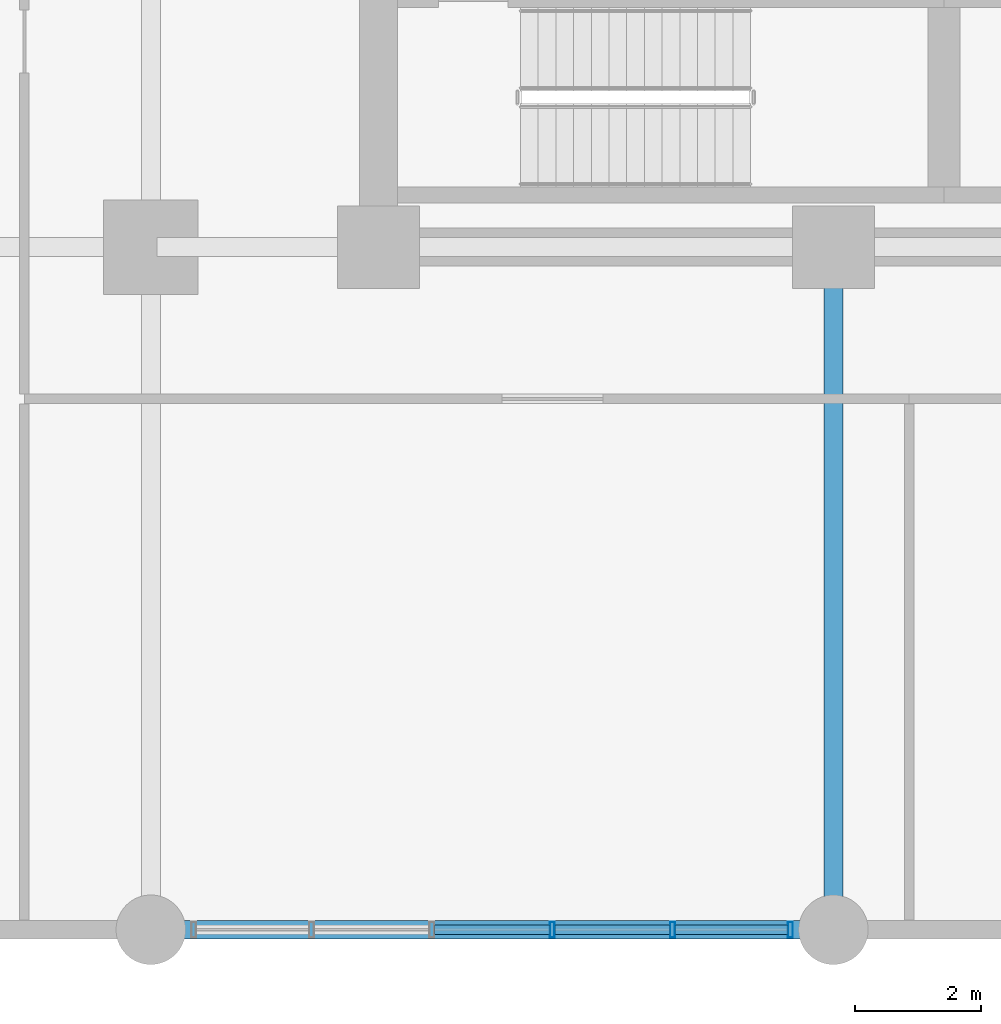
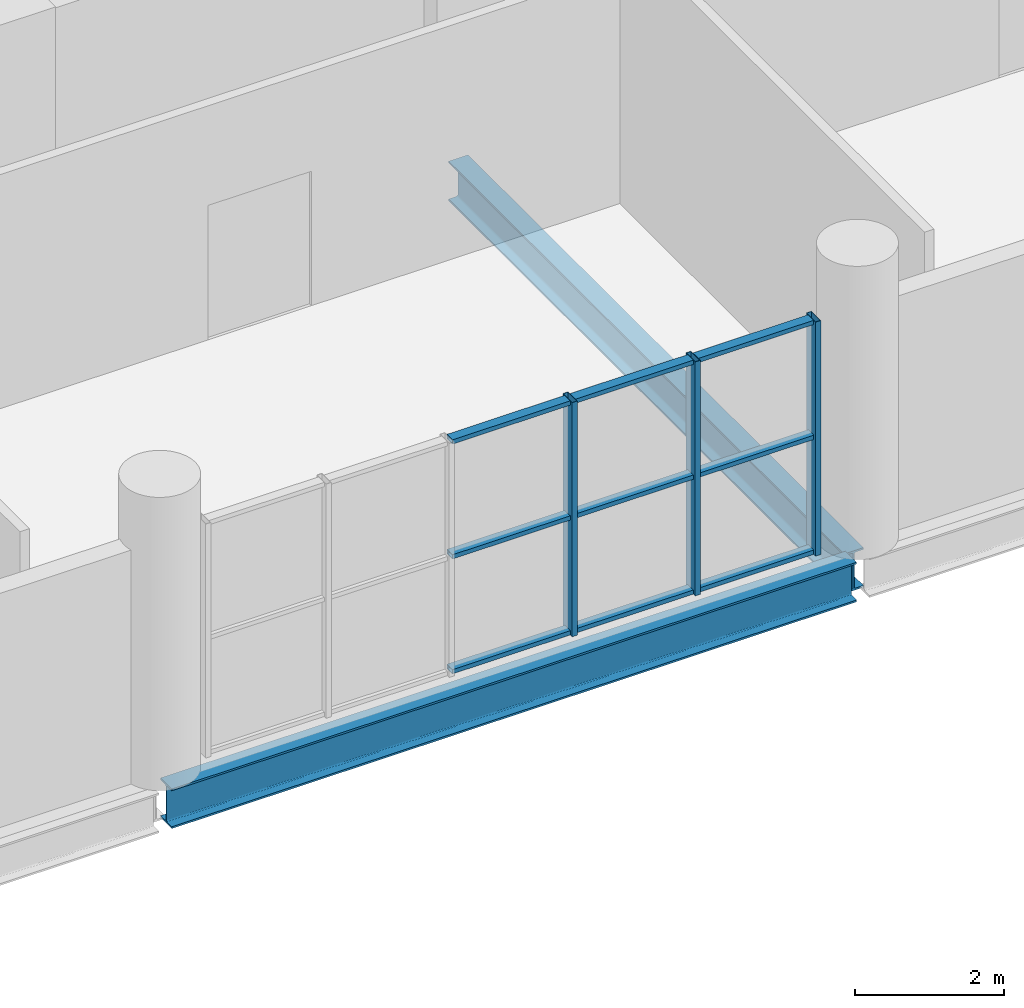
# One storey, part 3 of 16: 12 members, 2 beams, 1 element without a shape of its own.
"""IFC4 building model written with IfcOpenShell, lengths in metres."""

import ifcopenshell
import ifcopenshell.guid

model = None  # the IFC model being written
_history = None  # IfcOwnerHistory: only IFC2X3 demands one
_inside = {}  # id of a spatial element -> (the spatial element, [elements in it])
_under = {}  # id of a project, library or spatial element -> (it, [spatial elements below it])
_declared = {}  # id of a project -> (the project, [libraries it declares])
_typed = {}  # id of a type object -> (the type object, [elements of that type])
_made_of = {}  # id of a material, layer set ... -> (it, [elements and type objects made of it])


def new_model(schema):
    """Start an empty IFC model of exactly this schema.

    Asked for "IFC4X3", IfcOpenShell would pick the latest addendum, in which some entities
    have other attributes; the version numbers below select the first issue.
    IFC2X3 requires an IfcOwnerHistory on every rooted entity: one is made here for all.
    """
    global model, _history
    if schema == "IFC4X3":
        model = ifcopenshell.file(schema_version=(4, 3, 0, 0))
    else:
        model = ifcopenshell.file(schema=schema)
    _inside.clear()
    _under.clear()
    _declared.clear()
    _typed.clear()
    _made_of.clear()
    _history = None
    if model.schema == "IFC2X3":
        org = make("IfcOrganization", Name="unknown")
        user = make(
            "IfcPersonAndOrganization",
            ThePerson=make("IfcPerson", FamilyName="unknown"),
            TheOrganization=org,
        )
        app = make(
            "IfcApplication",
            ApplicationDeveloper=org,
            Version="unknown",
            ApplicationFullName="unknown",
            ApplicationIdentifier="unknown",
        )
        _history = make(
            "IfcOwnerHistory",
            OwningUser=user,
            OwningApplication=app,
            ChangeAction="ADDED",
            CreationDate=0,
        )
    return model


def make(cls, **values):
    """One entity of the class cls with the attributes given. An attribute that is None is left unset."""
    return model.create_entity(
        cls, **{name: value for name, value in values.items() if value is not None}
    )


def rooted(cls, **values):
    """An entity with a GlobalId (a new one), such as an element, a storey or a relation."""
    return make(cls, GlobalId=ifcopenshell.guid.new(), OwnerHistory=_history, **values)


def si_unit(unit_type, name, prefix=None):
    """IfcSIUnit, for example si_unit("LENGTHUNIT", "METRE", prefix="MILLI")."""
    return make("IfcSIUnit", UnitType=unit_type, Prefix=prefix, Name=name)


def assignment(units):
    """IfcUnitAssignment: the units of a project."""
    return None if units is None else make("IfcUnitAssignment", Units=units)


def point(xyz):
    """IfcCartesianPoint."""
    return None if xyz is None else make("IfcCartesianPoint", Coordinates=xyz)


def direction(xyz):
    """IfcDirection."""
    return None if xyz is None else make("IfcDirection", DirectionRatios=xyz)


def frame(location, z_axis=None, x_axis=None):
    """IfcAxis2Placement3D, a coordinate frame: its origin and axes. An axis left out is left unset."""
    return make(
        "IfcAxis2Placement3D",
        Location=point(location),
        Axis=direction(z_axis),
        RefDirection=direction(x_axis),
    )


def frame_2d(location, x_axis=None):
    """IfcAxis2Placement2D, a coordinate frame in the plane: its origin and x axis."""
    return make(
        "IfcAxis2Placement2D", Location=point(location), RefDirection=direction(x_axis)
    )


def origin():
    """The frame at (0, 0, 0) with its axes left unset."""
    return frame((0.0, 0.0, 0.0))


def origin_2d():
    """The frame at (0, 0) in the plane with its x axis left unset."""
    return frame_2d((0.0, 0.0))


def place(relative_to, where):
    """IfcLocalPlacement: puts the frame where relative to a parent placement (None: the world)."""
    return make(
        "IfcLocalPlacement", PlacementRelTo=relative_to, RelativePlacement=where
    )


def context(
    kind, dimensions, precision=None, world=None, true_north=None, identifier=None
):
    """IfcGeometricRepresentationContext, for example the 3D "Model" context."""
    return make(
        "IfcGeometricRepresentationContext",
        ContextIdentifier=identifier,
        ContextType=kind,
        CoordinateSpaceDimension=dimensions,
        Precision=precision,
        WorldCoordinateSystem=world,
        TrueNorth=true_north,
    )


def subcontext(parent, identifier, kind, view, scale=None):
    """IfcGeometricRepresentationSubContext, for example "Body" below "Model"."""
    return make(
        "IfcGeometricRepresentationSubContext",
        ContextIdentifier=identifier,
        ContextType=kind,
        ParentContext=parent,
        TargetScale=scale,
        TargetView=view,
    )


def project(units=None, contexts=None):
    """IfcProject with its units and contexts."""
    return rooted(
        "IfcProject",
        Name="project",
        RepresentationContexts=contexts,
        UnitsInContext=assignment(units),
    )


def spatial(cls, under=None, at=None, **own):
    """A site, building, storey or space (cls), placed at a placement, below another one or the project."""
    s = rooted(cls, ObjectPlacement=at, **own)
    if under is not None:
        _under.setdefault(under.id(), (under, []))[1].append(s)
    return s


def profile(cls, at=None, kind="AREA", **sizes):
    """A parametric profile (cls). Its sizes go by their IFC names, for example OverallWidth=200.0."""
    return make(cls, ProfileType=kind, Position=at, **sizes)


def hollow_rectangle(**sizes):
    """IfcRectangleHollowProfileDef."""
    return profile("IfcRectangleHollowProfileDef", **sizes)


def i_section(**sizes):
    """IfcIShapeProfileDef."""
    return profile("IfcIShapeProfileDef", **sizes)


def extrude(swept, where, along, depth):
    """IfcExtrudedAreaSolid: the profile swept, set in the frame where, extruded along a direction by depth."""
    return make(
        "IfcExtrudedAreaSolid",
        SweptArea=swept,
        Position=where,
        ExtrudedDirection=direction(along),
        Depth=depth,
    )


def shape(context_of_items, identifier, shape_type, items):
    """IfcShapeRepresentation: the items that make up one representation, for example the "Body"."""
    return make(
        "IfcShapeRepresentation",
        ContextOfItems=context_of_items,
        RepresentationIdentifier=identifier,
        RepresentationType=shape_type,
        Items=items,
    )


def material(Name=None, Category=None):
    """IfcMaterial."""
    return make("IfcMaterial", Name=Name, Category=Category)


def layer(
    of_material, thickness, ventilated=None, Name=None, Category=None, Priority=None
):
    """IfcMaterialLayer: one layer of a wall or slab, of a material (None: an air gap)."""
    return make(
        "IfcMaterialLayer",
        Material=of_material,
        LayerThickness=thickness,
        IsVentilated=ventilated,
        Name=Name,
        Category=Category,
        Priority=Priority,
    )


def layer_set(layers, Name=None):
    """IfcMaterialLayerSet."""
    return make("IfcMaterialLayerSet", MaterialLayers=layers, LayerSetName=Name)


def material_profile(
    of_material, cross_section, Name=None, Category=None, Priority=None
):
    """IfcMaterialProfile: a cross section and its material."""
    return make(
        "IfcMaterialProfile",
        Name=Name,
        Material=of_material,
        Profile=cross_section,
        Priority=Priority,
        Category=Category,
    )


def profile_set(profiles, Name=None, composite=None):
    """IfcMaterialProfileSet."""
    return make(
        "IfcMaterialProfileSet",
        Name=Name,
        MaterialProfiles=profiles,
        CompositeProfile=composite,
    )


def made_of(thing, what):
    """Note that an element or type object is made of a material, layer set ...; save() writes the relation."""
    if what is not None:
        _made_of.setdefault(what.id(), (what, []))[1].append(thing)
    return thing


def type_object(cls, material=None, **own):
    """A type object (cls), such as IfcWallType, which elements share."""
    return made_of(rooted(cls, **own), material)


def element(
    cls,
    number,
    at=None,
    inside=None,
    cuts=None,
    type_object=None,
    material=None,
    context=None,
    identifier="Body",
    shape_type=None,
    held_by="IfcProductDefinitionShape",
    body=None,
    shapes=None,
    **own,
):
    """One element of the class cls, such as IfcWall. Its Tag is "e" and its number.

    at: its placement. inside: the storey or other place that contains it. cuts: it is an
    opening in that element (IfcRelVoidsElement). A single representation is given by context,
    identifier, shape_type and body (its items); several are given by shapes. held_by: the class
    of the entity that holds the representations. save() writes the other relations.
    """
    e = rooted(cls, Tag="e%d" % number, ObjectPlacement=at, **own)
    if body is not None:
        shapes = [shape(context, identifier, shape_type, body)]
    if shapes is not None:
        e.Representation = make(held_by, Representations=shapes)
    if inside is not None:
        _inside.setdefault(inside.id(), (inside, []))[1].append(e)
    if cuts is not None:
        rooted(
            "IfcRelVoidsElement", RelatingBuildingElement=cuts, RelatedOpeningElement=e
        )
    if type_object is not None:
        _typed.setdefault(type_object.id(), (type_object, []))[1].append(e)
    return made_of(e, material)


def aggregate(whole, parts):
    """IfcRelAggregates: a whole, such as a stair, and the parts it consists of."""
    return rooted("IfcRelAggregates", RelatingObject=whole, RelatedObjects=parts)


def save(model, path):
    """Write the relations noted so far, then the file.

    IfcRelAggregates (storeys below a building ...), IfcRelContainedInSpatialStructure (elements
    in a storey), IfcRelDefinesByType, IfcRelAssociatesMaterial and IfcRelDeclares: one each for
    every whole, place, type object, material and project.
    """
    for whole, parts in _under.values():
        aggregate(whole, parts)
    for where, things in _inside.values():
        rooted(
            "IfcRelContainedInSpatialStructure",
            RelatedElements=things,
            RelatingStructure=where,
        )
    for kind, things in _typed.values():
        rooted("IfcRelDefinesByType", RelatedObjects=things, RelatingType=kind)
    for what, things in _made_of.values():
        rooted("IfcRelAssociatesMaterial", RelatedObjects=things, RelatingMaterial=what)
    for by, libraries in _declared.values():
        rooted("IfcRelDeclares", RelatingContext=by, RelatedDefinitions=libraries)
    model.write(path)


model = new_model("IFC4")

# Units and contexts
model_context = context("Model", 3, precision=1e-05, world=origin(), true_north=direction((0.0, 1.0)))
body_context = subcontext(model_context, "Body", "Model", "MODEL_VIEW")
ifc_project = project(units=[si_unit("LENGTHUNIT", "METRE"), si_unit("AREAUNIT", "SQUARE_METRE"), si_unit("VOLUMEUNIT", "CUBIC_METRE"), si_unit("PLANEANGLEUNIT", "RADIAN"), si_unit("MASSUNIT", "GRAM", prefix="KILO")], contexts=[model_context])

# Site, building, storey
site_placement = place(None, origin())
site = spatial("IfcSite", under=ifc_project, at=site_placement, CompositionType="ELEMENT")
building_placement = place(site_placement, origin())
building = spatial("IfcBuilding", under=site, at=building_placement, Name="Solnavia Interchange Tower", CompositionType="ELEMENT")
storey_placement = place(building_placement, frame((0.0, 0.0, 5.39990234375)))
storey = spatial("IfcBuildingStorey", under=building, at=storey_placement, Name="L01", CompositionType="ELEMENT", Elevation=5.39990234375)

# Beams
ifc_material_1 = material(Name="Steel S460", Category="steel")
ifc_material_profile_1 = material_profile(ifc_material_1, i_section(OverallWidth=0.300048828125, OverallDepth=0.64990234375, WebThickness=0.01611328125, FlangeThickness=0.031005859375, FilletRadius=0.027099609375, at=origin_2d()), Name="HEB 650")
ifc_profile_set_1 = profile_set([ifc_material_profile_1], Name="Steel S460")
beam_type = type_object("IfcBeamType", Name="Beam-Girder-HEB650", PredefinedType="BEAM", material=ifc_profile_set_1)
beam_1_placement = place(storey_placement, frame((10.89990234375, 0.0, -0.625), z_axis=(1.0, 0.0, 0.0), x_axis=(0.0, 1.0, 0.0)))
element("IfcBeam", 1, at=beam_1_placement, inside=storey, type_object=beam_type, Name="GRD-L01-02 Podium primary girder", PredefinedType="BEAM", context=body_context, shape_type="SweptSolid", body=[
    extrude(i_section(OverallWidth=0.300048828125, OverallDepth=0.64990234375, WebThickness=0.01611328125, FlangeThickness=0.031005859375, FilletRadius=0.027099609375, at=origin_2d()), origin(), (0.0, 0.0, 1.0), 10.60009765625),
])
beam_2_placement = place(storey_placement, frame((21.60009765625, 0.10009765625, -0.625), z_axis=(0.0, 1.0, 0.0), x_axis=(-1.0, 0.0, 0.0)))
element("IfcBeam", 2, at=beam_2_placement, inside=storey, type_object=beam_type, Name="GRD-L01-54 Podium primary girder", PredefinedType="BEAM", context=body_context, shape_type="SweptSolid", body=[
    extrude(i_section(OverallWidth=0.300048828125, OverallDepth=0.64990234375, WebThickness=0.01611328125, FlangeThickness=0.031005859375, FilletRadius=0.027099609375, at=origin_2d()), origin(), (0.0, 0.0, 1.0), 10.599853515625),
])

# Curtain wall, members
ifc_material_2 = material(Name="Aluminium Alloy 6063-T6", Category="aluminium")
ifc_layer = layer(ifc_material_2, 0.27001953125)
ifc_layer_set = layer_set([ifc_layer], Name="Aluminium Alloy 6063-T6")
curtain_wall_type = type_object("IfcCurtainWallType", Name="CurtainWall-Podium-CTW1", PredefinedType="NOTDEFINED", material=ifc_layer_set)
curtain_wall_placement = place(storey_placement, origin())
curtain_wall = element("IfcCurtainWall", 3, at=curtain_wall_placement, inside=storey, type_object=curtain_wall_type, Name="CTW-L01-S02 CTW-1 curtain wall", PredefinedType="NOTDEFINED")
ifc_material_profile_2 = material_profile(ifc_material_2, hollow_rectangle(XDim=0.080078125, YDim=0.25, WallThickness=0.006103515625, at=origin_2d()), Name="ALU 250x80x6")
ifc_profile_set_2 = profile_set([ifc_material_profile_2], Name="Aluminium Alloy 6063-T6")
member_type_1 = type_object("IfcMemberType", Name="CW-Mullion-CWM-1", PredefinedType="MULLION", material=ifc_profile_set_2)
member_1_placement = place(storey_placement, frame((20.919921875, 0.0, 0.0), z_axis=(0.0, 0.0, 1.0), x_axis=(-1.0, 0.0, 0.0)))
member_1 = element("IfcMember", 4, at=member_1_placement, type_object=member_type_1, Name="CTW-1 mullion 1", PredefinedType="MULLION", context=body_context, shape_type="SweptSolid", body=[
    extrude(hollow_rectangle(XDim=0.080078125, YDim=0.25, WallThickness=0.006103515625, at=origin_2d()), origin(), (0.0, 0.0, 1.0), 3.830078125),
])
member_2_placement = place(storey_placement, frame((19.055908203125, 0.0, 0.0), z_axis=(0.0, 0.0, 1.0), x_axis=(-1.0, 0.0, 0.0)))
member_2 = element("IfcMember", 5, at=member_2_placement, type_object=member_type_1, Name="CTW-1 mullion 2", PredefinedType="MULLION", context=body_context, shape_type="SweptSolid", body=[
    extrude(hollow_rectangle(XDim=0.080078125, YDim=0.25, WallThickness=0.006103515625, at=origin_2d()), origin(), (0.0, 0.0, 1.0), 3.830078125),
])
member_3_placement = place(storey_placement, frame((17.152099609375, 0.0, 0.0), z_axis=(0.0, 0.0, 1.0), x_axis=(-1.0, 0.0, 0.0)))
member_3 = element("IfcMember", 6, at=member_3_placement, type_object=member_type_1, Name="CTW-1 mullion 3", PredefinedType="MULLION", context=body_context, shape_type="SweptSolid", body=[
    extrude(hollow_rectangle(XDim=0.080078125, YDim=0.25, WallThickness=0.006103515625, at=origin_2d()), origin(), (0.0, 0.0, 1.0), 3.830078125),
])
ifc_material_profile_3 = material_profile(ifc_material_2, hollow_rectangle(XDim=0.070068359375, YDim=0.14990234375, WallThickness=0.00439453125, at=origin_2d()), Name="ALU 150x70x4.5")
ifc_profile_set_3 = profile_set([ifc_material_profile_3], Name="Aluminium Alloy 6063-T6")
member_type_2 = type_object("IfcMemberType", Name="CW-Transom-CWT-1", PredefinedType="USERDEFINED", material=ifc_profile_set_3)
member_4_placement = place(storey_placement, frame((20.8798828125, 0.0, 0.03515625), z_axis=(-1.0, 0.0, 0.0), x_axis=(0.0, 0.0, 1.0)))
member_4 = element("IfcMember", 7, at=member_4_placement, type_object=member_type_2, Name="CTW-1 transom 1.1", ObjectType="TRANSOM", PredefinedType="USERDEFINED", context=body_context, shape_type="SweptSolid", body=[
    extrude(hollow_rectangle(XDim=0.070068359375, YDim=0.14990234375, WallThickness=0.00439453125, at=origin_2d()), origin(), (0.0, 0.0, 1.0), 1.783935546875),
])
member_5_placement = place(storey_placement, frame((20.8798828125, 0.0, 1.9150390625), z_axis=(-1.0, 0.0, 0.0), x_axis=(0.0, 0.0, 1.0)))
member_5 = element("IfcMember", 8, at=member_5_placement, type_object=member_type_2, Name="CTW-1 transom 1.2", ObjectType="TRANSOM", PredefinedType="USERDEFINED", context=body_context, shape_type="SweptSolid", body=[
    extrude(hollow_rectangle(XDim=0.070068359375, YDim=0.14990234375, WallThickness=0.00439453125, at=origin_2d()), origin(), (0.0, 0.0, 1.0), 1.783935546875),
])
member_6_placement = place(storey_placement, frame((20.8798828125, 0.0, 3.795166015625), z_axis=(-1.0, 0.0, 0.0), x_axis=(0.0, 0.0, 1.0)))
member_6 = element("IfcMember", 9, at=member_6_placement, type_object=member_type_2, Name="CTW-1 transom 1.3", ObjectType="TRANSOM", PredefinedType="USERDEFINED", context=body_context, shape_type="SweptSolid", body=[
    extrude(hollow_rectangle(XDim=0.070068359375, YDim=0.14990234375, WallThickness=0.00439453125, at=origin_2d()), origin(), (0.0, 0.0, 1.0), 1.783935546875),
])
member_7_placement = place(storey_placement, frame((19.01611328125, 0.0, 0.03515625), z_axis=(-1.0, 0.0, 0.0), x_axis=(0.0, 0.0, 1.0)))
member_7 = element("IfcMember", 10, at=member_7_placement, type_object=member_type_2, Name="CTW-1 transom 2.1", ObjectType="TRANSOM", PredefinedType="USERDEFINED", context=body_context, shape_type="SweptSolid", body=[
    extrude(hollow_rectangle(XDim=0.070068359375, YDim=0.14990234375, WallThickness=0.00439453125, at=origin_2d()), origin(), (0.0, 0.0, 1.0), 1.82421875),
])
member_8_placement = place(storey_placement, frame((19.01611328125, 0.0, 1.9150390625), z_axis=(-1.0, 0.0, 0.0), x_axis=(0.0, 0.0, 1.0)))
member_8 = element("IfcMember", 11, at=member_8_placement, type_object=member_type_2, Name="CTW-1 transom 2.2", ObjectType="TRANSOM", PredefinedType="USERDEFINED", context=body_context, shape_type="SweptSolid", body=[
    extrude(hollow_rectangle(XDim=0.070068359375, YDim=0.14990234375, WallThickness=0.00439453125, at=origin_2d()), origin(), (0.0, 0.0, 1.0), 1.82421875),
])
member_9_placement = place(storey_placement, frame((19.01611328125, 0.0, 3.795166015625), z_axis=(-1.0, 0.0, 0.0), x_axis=(0.0, 0.0, 1.0)))
member_9 = element("IfcMember", 12, at=member_9_placement, type_object=member_type_2, Name="CTW-1 transom 2.3", ObjectType="TRANSOM", PredefinedType="USERDEFINED", context=body_context, shape_type="SweptSolid", body=[
    extrude(hollow_rectangle(XDim=0.070068359375, YDim=0.14990234375, WallThickness=0.00439453125, at=origin_2d()), origin(), (0.0, 0.0, 1.0), 1.82421875),
])
member_10_placement = place(storey_placement, frame((17.112060546875, 0.0, 0.03515625), z_axis=(-1.0, 0.0, 0.0), x_axis=(0.0, 0.0, 1.0)))
member_10 = element("IfcMember", 13, at=member_10_placement, type_object=member_type_2, Name="CTW-1 transom 3.1", ObjectType="TRANSOM", PredefinedType="USERDEFINED", context=body_context, shape_type="SweptSolid", body=[
    extrude(hollow_rectangle(XDim=0.070068359375, YDim=0.14990234375, WallThickness=0.00439453125, at=origin_2d()), origin(), (0.0, 0.0, 1.0), 1.823974609375),
])
member_11_placement = place(storey_placement, frame((17.112060546875, 0.0, 1.9150390625), z_axis=(-1.0, 0.0, 0.0), x_axis=(0.0, 0.0, 1.0)))
member_11 = element("IfcMember", 14, at=member_11_placement, type_object=member_type_2, Name="CTW-1 transom 3.2", ObjectType="TRANSOM", PredefinedType="USERDEFINED", context=body_context, shape_type="SweptSolid", body=[
    extrude(hollow_rectangle(XDim=0.070068359375, YDim=0.14990234375, WallThickness=0.00439453125, at=origin_2d()), origin(), (0.0, 0.0, 1.0), 1.823974609375),
])
member_12_placement = place(storey_placement, frame((17.112060546875, 0.0, 3.795166015625), z_axis=(-1.0, 0.0, 0.0), x_axis=(0.0, 0.0, 1.0)))
member_12 = element("IfcMember", 15, at=member_12_placement, type_object=member_type_2, Name="CTW-1 transom 3.3", ObjectType="TRANSOM", PredefinedType="USERDEFINED", context=body_context, shape_type="SweptSolid", body=[
    extrude(hollow_rectangle(XDim=0.070068359375, YDim=0.14990234375, WallThickness=0.00439453125, at=origin_2d()), origin(), (0.0, 0.0, 1.0), 1.823974609375),
])
aggregate(curtain_wall, [member_1, member_2, member_3, member_4, member_5, member_6, member_7, member_8, member_9, member_10, member_11, member_12])

save(model, "model.ifc")
